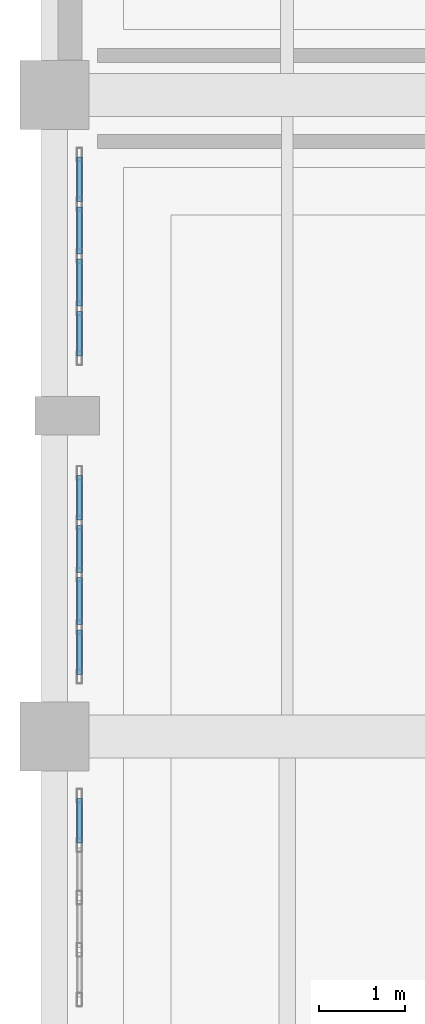
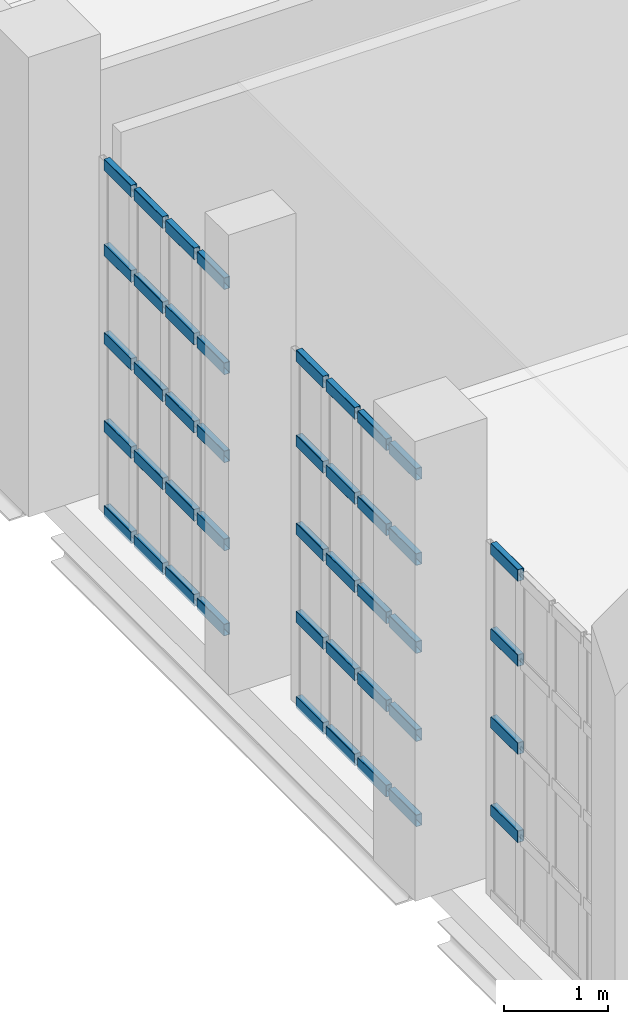
# One storey, part 311 of 372: 44 members, 3 elements without a shape of their own.
"""IFC4 building model written with IfcOpenShell, lengths in metres."""

from ifc_helpers import new_model, si_unit, direction, frame, origin, origin_2d, place, context, subcontext, project, spatial, hollow_rectangle, extrude, material, material_profile, profile_set, type_object, element, aggregate, save


model = new_model("IFC4")

# Units and contexts
model_context = context("Model", 3, precision=1e-05, world=origin(), true_north=direction((0.0, 1.0)))
body_context = subcontext(model_context, "Body", "Model", "MODEL_VIEW")
ifc_project = project(units=[si_unit("LENGTHUNIT", "METRE"), si_unit("AREAUNIT", "SQUARE_METRE"), si_unit("VOLUMEUNIT", "CUBIC_METRE"), si_unit("PLANEANGLEUNIT", "RADIAN"), si_unit("MASSUNIT", "GRAM", prefix="KILO")], contexts=[model_context])

# Site, building, storey
site_placement = place(None, origin())
site = spatial("IfcSite", under=ifc_project, at=site_placement, CompositionType="ELEMENT")
building_placement = place(site_placement, origin())
building = spatial("IfcBuilding", under=site, at=building_placement, Name="Kaelora Sail Theatre", CompositionType="ELEMENT")
storey_placement = place(building_placement, origin())
storey = spatial("IfcBuildingStorey", under=building, at=storey_placement, Name="L00", CompositionType="ELEMENT", Elevation=0.0)

# Curtain wall, members
ifc_material_1 = material(Name="Anodised aluminium and solar-control low-E IGU", Category="aluminium")
curtain_wall_type = type_object("IfcCurtainWallType", Name="ARC-CW-CW-FOY1", PredefinedType="NOTDEFINED", material=ifc_material_1)
curtain_wall_1_placement = place(storey_placement, origin())
curtain_wall_1 = element("IfcCurtainWall", 1, at=curtain_wall_1_placement, inside=storey, type_object=curtain_wall_type, Name="Glazed Colonnade/Courtyard Curtain Wall FW1-W-L00-04", PredefinedType="NOTDEFINED")
ifc_material_2 = material(Name="Anodised aluminium 6063-T6", Category="aluminium")
ifc_material_profile = material_profile(ifc_material_2, hollow_rectangle(XDim=0.070068359375, YDim=0.139892578125, WallThickness=0.00390625, InnerFilletRadius=0.00390625, OuterFilletRadius=0.008056640625, at=origin_2d()), Name="ALU-TRAN 70x140x4")
ifc_profile_set = profile_set([ifc_material_profile], Name="Anodised aluminium 6063-T6")
member_type = type_object("IfcMemberType", Name="ARC-MEM-TR-140", PredefinedType="USERDEFINED", material=ifc_profile_set)
member_1_placement = place(storey_placement, frame((1.7900390625, 74.663818359375, 1.0341796875), z_axis=(0.0, 1.0, 0.0), x_axis=(-1.0, 0.0, 0.0)))
member_1 = element("IfcMember", 2, at=member_1_placement, type_object=member_type, Name="CW-FOY1 transom 4.2", ObjectType="TRANSOM", PredefinedType="USERDEFINED", context=body_context, shape_type="SweptSolid", body=[
    extrude(hollow_rectangle(XDim=0.070068359375, YDim=0.139892578125, WallThickness=0.00390625, InnerFilletRadius=0.00390625, OuterFilletRadius=0.008056640625, at=origin_2d()), origin(), (0.0, 0.0, 1.0), 0.51611328125),
])
member_2_placement = place(storey_placement, frame((1.7900390625, 74.663818359375, 2.068603515625), z_axis=(0.0, 1.0, 0.0), x_axis=(-1.0, 0.0, 0.0)))
member_2 = element("IfcMember", 3, at=member_2_placement, type_object=member_type, Name="CW-FOY1 transom 4.3", ObjectType="TRANSOM", PredefinedType="USERDEFINED", context=body_context, shape_type="SweptSolid", body=[
    extrude(hollow_rectangle(XDim=0.070068359375, YDim=0.139892578125, WallThickness=0.00390625, InnerFilletRadius=0.00390625, OuterFilletRadius=0.008056640625, at=origin_2d()), origin(), (0.0, 0.0, 1.0), 0.51611328125),
])
member_3_placement = place(storey_placement, frame((1.7900390625, 74.663818359375, 3.102783203125), z_axis=(0.0, 1.0, 0.0), x_axis=(-1.0, 0.0, 0.0)))
member_3 = element("IfcMember", 4, at=member_3_placement, type_object=member_type, Name="CW-FOY1 transom 4.4", ObjectType="TRANSOM", PredefinedType="USERDEFINED", context=body_context, shape_type="SweptSolid", body=[
    extrude(hollow_rectangle(XDim=0.070068359375, YDim=0.139892578125, WallThickness=0.00390625, InnerFilletRadius=0.00390625, OuterFilletRadius=0.008056640625, at=origin_2d()), origin(), (0.0, 0.0, 1.0), 0.51611328125),
])
member_4_placement = place(storey_placement, frame((1.7900390625, 74.663818359375, 4.10205078125), z_axis=(0.0, 1.0, 0.0), x_axis=(-1.0, 0.0, 0.0)))
member_4 = element("IfcMember", 5, at=member_4_placement, type_object=member_type, Name="CW-FOY1 transom 4.5", ObjectType="TRANSOM", PredefinedType="USERDEFINED", context=body_context, shape_type="SweptSolid", body=[
    extrude(hollow_rectangle(XDim=0.070068359375, YDim=0.139892578125, WallThickness=0.00390625, InnerFilletRadius=0.00390625, OuterFilletRadius=0.008056640625, at=origin_2d()), origin(), (0.0, 0.0, 1.0), 0.51611328125),
])
aggregate(curtain_wall_1, [member_1, member_2, member_3, member_4])

curtain_wall_2_placement = place(storey_placement, origin())
curtain_wall_2 = element("IfcCurtainWall", 6, at=curtain_wall_2_placement, inside=storey, type_object=curtain_wall_type, Name="Glazed Colonnade/Courtyard Curtain Wall FW1-W-L00-05", PredefinedType="NOTDEFINED")
member_5_placement = place(storey_placement, frame((1.7900390625, 76.6201171875, 0.034912109375), z_axis=(0.0, 1.0, 0.0), x_axis=(-1.0, 0.0, 0.0)))
member_5 = element("IfcMember", 7, at=member_5_placement, type_object=member_type, Name="CW-FOY1 transom 1.1", ObjectType="TRANSOM", PredefinedType="USERDEFINED", context=body_context, shape_type="SweptSolid", body=[
    extrude(hollow_rectangle(XDim=0.070068359375, YDim=0.139892578125, WallThickness=0.00390625, InnerFilletRadius=0.00390625, OuterFilletRadius=0.008056640625, at=origin_2d()), origin(), (0.0, 0.0, 1.0), 0.51611328125),
])
member_6_placement = place(storey_placement, frame((1.7900390625, 76.6201171875, 1.0341796875), z_axis=(0.0, 1.0, 0.0), x_axis=(-1.0, 0.0, 0.0)))
member_6 = element("IfcMember", 8, at=member_6_placement, type_object=member_type, Name="CW-FOY1 transom 1.2", ObjectType="TRANSOM", PredefinedType="USERDEFINED", context=body_context, shape_type="SweptSolid", body=[
    extrude(hollow_rectangle(XDim=0.070068359375, YDim=0.139892578125, WallThickness=0.00390625, InnerFilletRadius=0.00390625, OuterFilletRadius=0.008056640625, at=origin_2d()), origin(), (0.0, 0.0, 1.0), 0.51611328125),
])
member_7_placement = place(storey_placement, frame((1.7900390625, 76.6201171875, 2.068603515625), z_axis=(0.0, 1.0, 0.0), x_axis=(-1.0, 0.0, 0.0)))
member_7 = element("IfcMember", 9, at=member_7_placement, type_object=member_type, Name="CW-FOY1 transom 1.3", ObjectType="TRANSOM", PredefinedType="USERDEFINED", context=body_context, shape_type="SweptSolid", body=[
    extrude(hollow_rectangle(XDim=0.070068359375, YDim=0.139892578125, WallThickness=0.00390625, InnerFilletRadius=0.00390625, OuterFilletRadius=0.008056640625, at=origin_2d()), origin(), (0.0, 0.0, 1.0), 0.51611328125),
])
member_8_placement = place(storey_placement, frame((1.7900390625, 76.6201171875, 3.102783203125), z_axis=(0.0, 1.0, 0.0), x_axis=(-1.0, 0.0, 0.0)))
member_8 = element("IfcMember", 10, at=member_8_placement, type_object=member_type, Name="CW-FOY1 transom 1.4", ObjectType="TRANSOM", PredefinedType="USERDEFINED", context=body_context, shape_type="SweptSolid", body=[
    extrude(hollow_rectangle(XDim=0.070068359375, YDim=0.139892578125, WallThickness=0.00390625, InnerFilletRadius=0.00390625, OuterFilletRadius=0.008056640625, at=origin_2d()), origin(), (0.0, 0.0, 1.0), 0.51611328125),
])
member_9_placement = place(storey_placement, frame((1.7900390625, 76.6201171875, 4.10205078125), z_axis=(0.0, 1.0, 0.0), x_axis=(-1.0, 0.0, 0.0)))
member_9 = element("IfcMember", 11, at=member_9_placement, type_object=member_type, Name="CW-FOY1 transom 1.5", ObjectType="TRANSOM", PredefinedType="USERDEFINED", context=body_context, shape_type="SweptSolid", body=[
    extrude(hollow_rectangle(XDim=0.070068359375, YDim=0.139892578125, WallThickness=0.00390625, InnerFilletRadius=0.00390625, OuterFilletRadius=0.008056640625, at=origin_2d()), origin(), (0.0, 0.0, 1.0), 0.51611328125),
])
member_10_placement = place(storey_placement, frame((1.7900390625, 77.1962890625, 0.034912109375), z_axis=(0.0, 1.0, 0.0), x_axis=(-1.0, 0.0, 0.0)))
member_10 = element("IfcMember", 12, at=member_10_placement, type_object=member_type, Name="CW-FOY1 transom 2.1", ObjectType="TRANSOM", PredefinedType="USERDEFINED", context=body_context, shape_type="SweptSolid", body=[
    extrude(hollow_rectangle(XDim=0.070068359375, YDim=0.139892578125, WallThickness=0.00390625, InnerFilletRadius=0.00390625, OuterFilletRadius=0.008056640625, at=origin_2d()), origin(), (0.0, 0.0, 1.0), 0.546142578125),
])
member_11_placement = place(storey_placement, frame((1.7900390625, 77.1962890625, 1.0341796875), z_axis=(0.0, 1.0, 0.0), x_axis=(-1.0, 0.0, 0.0)))
member_11 = element("IfcMember", 13, at=member_11_placement, type_object=member_type, Name="CW-FOY1 transom 2.2", ObjectType="TRANSOM", PredefinedType="USERDEFINED", context=body_context, shape_type="SweptSolid", body=[
    extrude(hollow_rectangle(XDim=0.070068359375, YDim=0.139892578125, WallThickness=0.00390625, InnerFilletRadius=0.00390625, OuterFilletRadius=0.008056640625, at=origin_2d()), origin(), (0.0, 0.0, 1.0), 0.546142578125),
])
member_12_placement = place(storey_placement, frame((1.7900390625, 77.1962890625, 2.068603515625), z_axis=(0.0, 1.0, 0.0), x_axis=(-1.0, 0.0, 0.0)))
member_12 = element("IfcMember", 14, at=member_12_placement, type_object=member_type, Name="CW-FOY1 transom 2.3", ObjectType="TRANSOM", PredefinedType="USERDEFINED", context=body_context, shape_type="SweptSolid", body=[
    extrude(hollow_rectangle(XDim=0.070068359375, YDim=0.139892578125, WallThickness=0.00390625, InnerFilletRadius=0.00390625, OuterFilletRadius=0.008056640625, at=origin_2d()), origin(), (0.0, 0.0, 1.0), 0.546142578125),
])
member_13_placement = place(storey_placement, frame((1.7900390625, 77.1962890625, 3.102783203125), z_axis=(0.0, 1.0, 0.0), x_axis=(-1.0, 0.0, 0.0)))
member_13 = element("IfcMember", 15, at=member_13_placement, type_object=member_type, Name="CW-FOY1 transom 2.4", ObjectType="TRANSOM", PredefinedType="USERDEFINED", context=body_context, shape_type="SweptSolid", body=[
    extrude(hollow_rectangle(XDim=0.070068359375, YDim=0.139892578125, WallThickness=0.00390625, InnerFilletRadius=0.00390625, OuterFilletRadius=0.008056640625, at=origin_2d()), origin(), (0.0, 0.0, 1.0), 0.546142578125),
])
member_14_placement = place(storey_placement, frame((1.7900390625, 77.1962890625, 4.10205078125), z_axis=(0.0, 1.0, 0.0), x_axis=(-1.0, 0.0, 0.0)))
member_14 = element("IfcMember", 16, at=member_14_placement, type_object=member_type, Name="CW-FOY1 transom 2.5", ObjectType="TRANSOM", PredefinedType="USERDEFINED", context=body_context, shape_type="SweptSolid", body=[
    extrude(hollow_rectangle(XDim=0.070068359375, YDim=0.139892578125, WallThickness=0.00390625, InnerFilletRadius=0.00390625, OuterFilletRadius=0.008056640625, at=origin_2d()), origin(), (0.0, 0.0, 1.0), 0.546142578125),
])
member_15_placement = place(storey_placement, frame((1.7900390625, 77.802490234375, 0.034912109375), z_axis=(0.0, 1.0, 0.0), x_axis=(-1.0, 0.0, 0.0)))
member_15 = element("IfcMember", 17, at=member_15_placement, type_object=member_type, Name="CW-FOY1 transom 3.1", ObjectType="TRANSOM", PredefinedType="USERDEFINED", context=body_context, shape_type="SweptSolid", body=[
    extrude(hollow_rectangle(XDim=0.070068359375, YDim=0.139892578125, WallThickness=0.00390625, InnerFilletRadius=0.00390625, OuterFilletRadius=0.008056640625, at=origin_2d()), origin(), (0.0, 0.0, 1.0), 0.546142578125),
])
member_16_placement = place(storey_placement, frame((1.7900390625, 77.802490234375, 1.0341796875), z_axis=(0.0, 1.0, 0.0), x_axis=(-1.0, 0.0, 0.0)))
member_16 = element("IfcMember", 18, at=member_16_placement, type_object=member_type, Name="CW-FOY1 transom 3.2", ObjectType="TRANSOM", PredefinedType="USERDEFINED", context=body_context, shape_type="SweptSolid", body=[
    extrude(hollow_rectangle(XDim=0.070068359375, YDim=0.139892578125, WallThickness=0.00390625, InnerFilletRadius=0.00390625, OuterFilletRadius=0.008056640625, at=origin_2d()), origin(), (0.0, 0.0, 1.0), 0.546142578125),
])
member_17_placement = place(storey_placement, frame((1.7900390625, 77.802490234375, 2.068603515625), z_axis=(0.0, 1.0, 0.0), x_axis=(-1.0, 0.0, 0.0)))
member_17 = element("IfcMember", 19, at=member_17_placement, type_object=member_type, Name="CW-FOY1 transom 3.3", ObjectType="TRANSOM", PredefinedType="USERDEFINED", context=body_context, shape_type="SweptSolid", body=[
    extrude(hollow_rectangle(XDim=0.070068359375, YDim=0.139892578125, WallThickness=0.00390625, InnerFilletRadius=0.00390625, OuterFilletRadius=0.008056640625, at=origin_2d()), origin(), (0.0, 0.0, 1.0), 0.546142578125),
])
member_18_placement = place(storey_placement, frame((1.7900390625, 77.802490234375, 3.102783203125), z_axis=(0.0, 1.0, 0.0), x_axis=(-1.0, 0.0, 0.0)))
member_18 = element("IfcMember", 20, at=member_18_placement, type_object=member_type, Name="CW-FOY1 transom 3.4", ObjectType="TRANSOM", PredefinedType="USERDEFINED", context=body_context, shape_type="SweptSolid", body=[
    extrude(hollow_rectangle(XDim=0.070068359375, YDim=0.139892578125, WallThickness=0.00390625, InnerFilletRadius=0.00390625, OuterFilletRadius=0.008056640625, at=origin_2d()), origin(), (0.0, 0.0, 1.0), 0.546142578125),
])
member_19_placement = place(storey_placement, frame((1.7900390625, 77.802490234375, 4.10205078125), z_axis=(0.0, 1.0, 0.0), x_axis=(-1.0, 0.0, 0.0)))
member_19 = element("IfcMember", 21, at=member_19_placement, type_object=member_type, Name="CW-FOY1 transom 3.5", ObjectType="TRANSOM", PredefinedType="USERDEFINED", context=body_context, shape_type="SweptSolid", body=[
    extrude(hollow_rectangle(XDim=0.070068359375, YDim=0.139892578125, WallThickness=0.00390625, InnerFilletRadius=0.00390625, OuterFilletRadius=0.008056640625, at=origin_2d()), origin(), (0.0, 0.0, 1.0), 0.546142578125),
])
member_20_placement = place(storey_placement, frame((1.7900390625, 78.40869140625, 0.034912109375), z_axis=(0.0, 1.0, 0.0), x_axis=(-1.0, 0.0, 0.0)))
member_20 = element("IfcMember", 22, at=member_20_placement, type_object=member_type, Name="CW-FOY1 transom 4.1", ObjectType="TRANSOM", PredefinedType="USERDEFINED", context=body_context, shape_type="SweptSolid", body=[
    extrude(hollow_rectangle(XDim=0.070068359375, YDim=0.139892578125, WallThickness=0.00390625, InnerFilletRadius=0.00390625, OuterFilletRadius=0.008056640625, at=origin_2d()), origin(), (0.0, 0.0, 1.0), 0.516357421875),
])
member_21_placement = place(storey_placement, frame((1.7900390625, 78.40869140625, 1.0341796875), z_axis=(0.0, 1.0, 0.0), x_axis=(-1.0, 0.0, 0.0)))
member_21 = element("IfcMember", 23, at=member_21_placement, type_object=member_type, Name="CW-FOY1 transom 4.2", ObjectType="TRANSOM", PredefinedType="USERDEFINED", context=body_context, shape_type="SweptSolid", body=[
    extrude(hollow_rectangle(XDim=0.070068359375, YDim=0.139892578125, WallThickness=0.00390625, InnerFilletRadius=0.00390625, OuterFilletRadius=0.008056640625, at=origin_2d()), origin(), (0.0, 0.0, 1.0), 0.516357421875),
])
member_22_placement = place(storey_placement, frame((1.7900390625, 78.40869140625, 2.068603515625), z_axis=(0.0, 1.0, 0.0), x_axis=(-1.0, 0.0, 0.0)))
member_22 = element("IfcMember", 24, at=member_22_placement, type_object=member_type, Name="CW-FOY1 transom 4.3", ObjectType="TRANSOM", PredefinedType="USERDEFINED", context=body_context, shape_type="SweptSolid", body=[
    extrude(hollow_rectangle(XDim=0.070068359375, YDim=0.139892578125, WallThickness=0.00390625, InnerFilletRadius=0.00390625, OuterFilletRadius=0.008056640625, at=origin_2d()), origin(), (0.0, 0.0, 1.0), 0.516357421875),
])
member_23_placement = place(storey_placement, frame((1.7900390625, 78.40869140625, 3.102783203125), z_axis=(0.0, 1.0, 0.0), x_axis=(-1.0, 0.0, 0.0)))
member_23 = element("IfcMember", 25, at=member_23_placement, type_object=member_type, Name="CW-FOY1 transom 4.4", ObjectType="TRANSOM", PredefinedType="USERDEFINED", context=body_context, shape_type="SweptSolid", body=[
    extrude(hollow_rectangle(XDim=0.070068359375, YDim=0.139892578125, WallThickness=0.00390625, InnerFilletRadius=0.00390625, OuterFilletRadius=0.008056640625, at=origin_2d()), origin(), (0.0, 0.0, 1.0), 0.516357421875),
])
member_24_placement = place(storey_placement, frame((1.7900390625, 78.40869140625, 4.10205078125), z_axis=(0.0, 1.0, 0.0), x_axis=(-1.0, 0.0, 0.0)))
member_24 = element("IfcMember", 26, at=member_24_placement, type_object=member_type, Name="CW-FOY1 transom 4.5", ObjectType="TRANSOM", PredefinedType="USERDEFINED", context=body_context, shape_type="SweptSolid", body=[
    extrude(hollow_rectangle(XDim=0.070068359375, YDim=0.139892578125, WallThickness=0.00390625, InnerFilletRadius=0.00390625, OuterFilletRadius=0.008056640625, at=origin_2d()), origin(), (0.0, 0.0, 1.0), 0.516357421875),
])
aggregate(curtain_wall_2, [member_5, member_6, member_7, member_8, member_9, member_10, member_11, member_12, member_13, member_14, member_15, member_16, member_17, member_18, member_19, member_20, member_21, member_22, member_23, member_24])

curtain_wall_3_placement = place(storey_placement, origin())
curtain_wall_3 = element("IfcCurtainWall", 27, at=curtain_wall_3_placement, inside=storey, type_object=curtain_wall_type, Name="Glazed Colonnade/Courtyard Curtain Wall FW1-W-L00-06", PredefinedType="NOTDEFINED")
member_25_placement = place(storey_placement, frame((1.7900390625, 80.31494140625, 0.034912109375), z_axis=(0.0, 1.0, 0.0), x_axis=(-1.0, 0.0, 0.0)))
member_25 = element("IfcMember", 28, at=member_25_placement, type_object=member_type, Name="CW-FOY1 transom 1.1", ObjectType="TRANSOM", PredefinedType="USERDEFINED", context=body_context, shape_type="SweptSolid", body=[
    extrude(hollow_rectangle(XDim=0.070068359375, YDim=0.139892578125, WallThickness=0.00390625, InnerFilletRadius=0.00390625, OuterFilletRadius=0.008056640625, at=origin_2d()), origin(), (0.0, 0.0, 1.0), 0.516357421875),
])
member_26_placement = place(storey_placement, frame((1.7900390625, 80.31494140625, 1.0341796875), z_axis=(0.0, 1.0, 0.0), x_axis=(-1.0, 0.0, 0.0)))
member_26 = element("IfcMember", 29, at=member_26_placement, type_object=member_type, Name="CW-FOY1 transom 1.2", ObjectType="TRANSOM", PredefinedType="USERDEFINED", context=body_context, shape_type="SweptSolid", body=[
    extrude(hollow_rectangle(XDim=0.070068359375, YDim=0.139892578125, WallThickness=0.00390625, InnerFilletRadius=0.00390625, OuterFilletRadius=0.008056640625, at=origin_2d()), origin(), (0.0, 0.0, 1.0), 0.516357421875),
])
member_27_placement = place(storey_placement, frame((1.7900390625, 80.31494140625, 2.068603515625), z_axis=(0.0, 1.0, 0.0), x_axis=(-1.0, 0.0, 0.0)))
member_27 = element("IfcMember", 30, at=member_27_placement, type_object=member_type, Name="CW-FOY1 transom 1.3", ObjectType="TRANSOM", PredefinedType="USERDEFINED", context=body_context, shape_type="SweptSolid", body=[
    extrude(hollow_rectangle(XDim=0.070068359375, YDim=0.139892578125, WallThickness=0.00390625, InnerFilletRadius=0.00390625, OuterFilletRadius=0.008056640625, at=origin_2d()), origin(), (0.0, 0.0, 1.0), 0.516357421875),
])
member_28_placement = place(storey_placement, frame((1.7900390625, 80.31494140625, 3.102783203125), z_axis=(0.0, 1.0, 0.0), x_axis=(-1.0, 0.0, 0.0)))
member_28 = element("IfcMember", 31, at=member_28_placement, type_object=member_type, Name="CW-FOY1 transom 1.4", ObjectType="TRANSOM", PredefinedType="USERDEFINED", context=body_context, shape_type="SweptSolid", body=[
    extrude(hollow_rectangle(XDim=0.070068359375, YDim=0.139892578125, WallThickness=0.00390625, InnerFilletRadius=0.00390625, OuterFilletRadius=0.008056640625, at=origin_2d()), origin(), (0.0, 0.0, 1.0), 0.516357421875),
])
member_29_placement = place(storey_placement, frame((1.7900390625, 80.31494140625, 4.10205078125), z_axis=(0.0, 1.0, 0.0), x_axis=(-1.0, 0.0, 0.0)))
member_29 = element("IfcMember", 32, at=member_29_placement, type_object=member_type, Name="CW-FOY1 transom 1.5", ObjectType="TRANSOM", PredefinedType="USERDEFINED", context=body_context, shape_type="SweptSolid", body=[
    extrude(hollow_rectangle(XDim=0.070068359375, YDim=0.139892578125, WallThickness=0.00390625, InnerFilletRadius=0.00390625, OuterFilletRadius=0.008056640625, at=origin_2d()), origin(), (0.0, 0.0, 1.0), 0.516357421875),
])
member_30_placement = place(storey_placement, frame((1.7900390625, 80.891357421875, 0.034912109375), z_axis=(0.0, 1.0, 0.0), x_axis=(-1.0, 0.0, 0.0)))
member_30 = element("IfcMember", 33, at=member_30_placement, type_object=member_type, Name="CW-FOY1 transom 2.1", ObjectType="TRANSOM", PredefinedType="USERDEFINED", context=body_context, shape_type="SweptSolid", body=[
    extrude(hollow_rectangle(XDim=0.070068359375, YDim=0.139892578125, WallThickness=0.00390625, InnerFilletRadius=0.00390625, OuterFilletRadius=0.008056640625, at=origin_2d()), origin(), (0.0, 0.0, 1.0), 0.546142578125),
])
member_31_placement = place(storey_placement, frame((1.7900390625, 80.891357421875, 1.0341796875), z_axis=(0.0, 1.0, 0.0), x_axis=(-1.0, 0.0, 0.0)))
member_31 = element("IfcMember", 34, at=member_31_placement, type_object=member_type, Name="CW-FOY1 transom 2.2", ObjectType="TRANSOM", PredefinedType="USERDEFINED", context=body_context, shape_type="SweptSolid", body=[
    extrude(hollow_rectangle(XDim=0.070068359375, YDim=0.139892578125, WallThickness=0.00390625, InnerFilletRadius=0.00390625, OuterFilletRadius=0.008056640625, at=origin_2d()), origin(), (0.0, 0.0, 1.0), 0.546142578125),
])
member_32_placement = place(storey_placement, frame((1.7900390625, 80.891357421875, 2.068603515625), z_axis=(0.0, 1.0, 0.0), x_axis=(-1.0, 0.0, 0.0)))
member_32 = element("IfcMember", 35, at=member_32_placement, type_object=member_type, Name="CW-FOY1 transom 2.3", ObjectType="TRANSOM", PredefinedType="USERDEFINED", context=body_context, shape_type="SweptSolid", body=[
    extrude(hollow_rectangle(XDim=0.070068359375, YDim=0.139892578125, WallThickness=0.00390625, InnerFilletRadius=0.00390625, OuterFilletRadius=0.008056640625, at=origin_2d()), origin(), (0.0, 0.0, 1.0), 0.546142578125),
])
member_33_placement = place(storey_placement, frame((1.7900390625, 80.891357421875, 3.102783203125), z_axis=(0.0, 1.0, 0.0), x_axis=(-1.0, 0.0, 0.0)))
member_33 = element("IfcMember", 36, at=member_33_placement, type_object=member_type, Name="CW-FOY1 transom 2.4", ObjectType="TRANSOM", PredefinedType="USERDEFINED", context=body_context, shape_type="SweptSolid", body=[
    extrude(hollow_rectangle(XDim=0.070068359375, YDim=0.139892578125, WallThickness=0.00390625, InnerFilletRadius=0.00390625, OuterFilletRadius=0.008056640625, at=origin_2d()), origin(), (0.0, 0.0, 1.0), 0.546142578125),
])
member_34_placement = place(storey_placement, frame((1.7900390625, 80.891357421875, 4.10205078125), z_axis=(0.0, 1.0, 0.0), x_axis=(-1.0, 0.0, 0.0)))
member_34 = element("IfcMember", 37, at=member_34_placement, type_object=member_type, Name="CW-FOY1 transom 2.5", ObjectType="TRANSOM", PredefinedType="USERDEFINED", context=body_context, shape_type="SweptSolid", body=[
    extrude(hollow_rectangle(XDim=0.070068359375, YDim=0.139892578125, WallThickness=0.00390625, InnerFilletRadius=0.00390625, OuterFilletRadius=0.008056640625, at=origin_2d()), origin(), (0.0, 0.0, 1.0), 0.546142578125),
])
member_35_placement = place(storey_placement, frame((1.7900390625, 81.49755859375, 0.034912109375), z_axis=(0.0, 1.0, 0.0), x_axis=(-1.0, 0.0, 0.0)))
member_35 = element("IfcMember", 38, at=member_35_placement, type_object=member_type, Name="CW-FOY1 transom 3.1", ObjectType="TRANSOM", PredefinedType="USERDEFINED", context=body_context, shape_type="SweptSolid", body=[
    extrude(hollow_rectangle(XDim=0.070068359375, YDim=0.139892578125, WallThickness=0.00390625, InnerFilletRadius=0.00390625, OuterFilletRadius=0.008056640625, at=origin_2d()), origin(), (0.0, 0.0, 1.0), 0.546142578125),
])
member_36_placement = place(storey_placement, frame((1.7900390625, 81.49755859375, 1.0341796875), z_axis=(0.0, 1.0, 0.0), x_axis=(-1.0, 0.0, 0.0)))
member_36 = element("IfcMember", 39, at=member_36_placement, type_object=member_type, Name="CW-FOY1 transom 3.2", ObjectType="TRANSOM", PredefinedType="USERDEFINED", context=body_context, shape_type="SweptSolid", body=[
    extrude(hollow_rectangle(XDim=0.070068359375, YDim=0.139892578125, WallThickness=0.00390625, InnerFilletRadius=0.00390625, OuterFilletRadius=0.008056640625, at=origin_2d()), origin(), (0.0, 0.0, 1.0), 0.546142578125),
])
member_37_placement = place(storey_placement, frame((1.7900390625, 81.49755859375, 2.068603515625), z_axis=(0.0, 1.0, 0.0), x_axis=(-1.0, 0.0, 0.0)))
member_37 = element("IfcMember", 40, at=member_37_placement, type_object=member_type, Name="CW-FOY1 transom 3.3", ObjectType="TRANSOM", PredefinedType="USERDEFINED", context=body_context, shape_type="SweptSolid", body=[
    extrude(hollow_rectangle(XDim=0.070068359375, YDim=0.139892578125, WallThickness=0.00390625, InnerFilletRadius=0.00390625, OuterFilletRadius=0.008056640625, at=origin_2d()), origin(), (0.0, 0.0, 1.0), 0.546142578125),
])
member_38_placement = place(storey_placement, frame((1.7900390625, 81.49755859375, 3.102783203125), z_axis=(0.0, 1.0, 0.0), x_axis=(-1.0, 0.0, 0.0)))
member_38 = element("IfcMember", 41, at=member_38_placement, type_object=member_type, Name="CW-FOY1 transom 3.4", ObjectType="TRANSOM", PredefinedType="USERDEFINED", context=body_context, shape_type="SweptSolid", body=[
    extrude(hollow_rectangle(XDim=0.070068359375, YDim=0.139892578125, WallThickness=0.00390625, InnerFilletRadius=0.00390625, OuterFilletRadius=0.008056640625, at=origin_2d()), origin(), (0.0, 0.0, 1.0), 0.546142578125),
])
member_39_placement = place(storey_placement, frame((1.7900390625, 81.49755859375, 4.10205078125), z_axis=(0.0, 1.0, 0.0), x_axis=(-1.0, 0.0, 0.0)))
member_39 = element("IfcMember", 42, at=member_39_placement, type_object=member_type, Name="CW-FOY1 transom 3.5", ObjectType="TRANSOM", PredefinedType="USERDEFINED", context=body_context, shape_type="SweptSolid", body=[
    extrude(hollow_rectangle(XDim=0.070068359375, YDim=0.139892578125, WallThickness=0.00390625, InnerFilletRadius=0.00390625, OuterFilletRadius=0.008056640625, at=origin_2d()), origin(), (0.0, 0.0, 1.0), 0.546142578125),
])
member_40_placement = place(storey_placement, frame((1.7900390625, 82.103759765625, 0.034912109375), z_axis=(0.0, 1.0, 0.0), x_axis=(-1.0, 0.0, 0.0)))
member_40 = element("IfcMember", 43, at=member_40_placement, type_object=member_type, Name="CW-FOY1 transom 4.1", ObjectType="TRANSOM", PredefinedType="USERDEFINED", context=body_context, shape_type="SweptSolid", body=[
    extrude(hollow_rectangle(XDim=0.070068359375, YDim=0.139892578125, WallThickness=0.00390625, InnerFilletRadius=0.00390625, OuterFilletRadius=0.008056640625, at=origin_2d()), origin(), (0.0, 0.0, 1.0), 0.516357421875),
])
member_41_placement = place(storey_placement, frame((1.7900390625, 82.103759765625, 1.0341796875), z_axis=(0.0, 1.0, 0.0), x_axis=(-1.0, 0.0, 0.0)))
member_41 = element("IfcMember", 44, at=member_41_placement, type_object=member_type, Name="CW-FOY1 transom 4.2", ObjectType="TRANSOM", PredefinedType="USERDEFINED", context=body_context, shape_type="SweptSolid", body=[
    extrude(hollow_rectangle(XDim=0.070068359375, YDim=0.139892578125, WallThickness=0.00390625, InnerFilletRadius=0.00390625, OuterFilletRadius=0.008056640625, at=origin_2d()), origin(), (0.0, 0.0, 1.0), 0.516357421875),
])
member_42_placement = place(storey_placement, frame((1.7900390625, 82.103759765625, 2.068603515625), z_axis=(0.0, 1.0, 0.0), x_axis=(-1.0, 0.0, 0.0)))
member_42 = element("IfcMember", 45, at=member_42_placement, type_object=member_type, Name="CW-FOY1 transom 4.3", ObjectType="TRANSOM", PredefinedType="USERDEFINED", context=body_context, shape_type="SweptSolid", body=[
    extrude(hollow_rectangle(XDim=0.070068359375, YDim=0.139892578125, WallThickness=0.00390625, InnerFilletRadius=0.00390625, OuterFilletRadius=0.008056640625, at=origin_2d()), origin(), (0.0, 0.0, 1.0), 0.516357421875),
])
member_43_placement = place(storey_placement, frame((1.7900390625, 82.103759765625, 3.102783203125), z_axis=(0.0, 1.0, 0.0), x_axis=(-1.0, 0.0, 0.0)))
member_43 = element("IfcMember", 46, at=member_43_placement, type_object=member_type, Name="CW-FOY1 transom 4.4", ObjectType="TRANSOM", PredefinedType="USERDEFINED", context=body_context, shape_type="SweptSolid", body=[
    extrude(hollow_rectangle(XDim=0.070068359375, YDim=0.139892578125, WallThickness=0.00390625, InnerFilletRadius=0.00390625, OuterFilletRadius=0.008056640625, at=origin_2d()), origin(), (0.0, 0.0, 1.0), 0.516357421875),
])
member_44_placement = place(storey_placement, frame((1.7900390625, 82.103759765625, 4.10205078125), z_axis=(0.0, 1.0, 0.0), x_axis=(-1.0, 0.0, 0.0)))
member_44 = element("IfcMember", 47, at=member_44_placement, type_object=member_type, Name="CW-FOY1 transom 4.5", ObjectType="TRANSOM", PredefinedType="USERDEFINED", context=body_context, shape_type="SweptSolid", body=[
    extrude(hollow_rectangle(XDim=0.070068359375, YDim=0.139892578125, WallThickness=0.00390625, InnerFilletRadius=0.00390625, OuterFilletRadius=0.008056640625, at=origin_2d()), origin(), (0.0, 0.0, 1.0), 0.516357421875),
])
aggregate(curtain_wall_3, [member_25, member_26, member_27, member_28, member_29, member_30, member_31, member_32, member_33, member_34, member_35, member_36, member_37, member_38, member_39, member_40, member_41, member_42, member_43, member_44])

save(model, "model.ifc")
